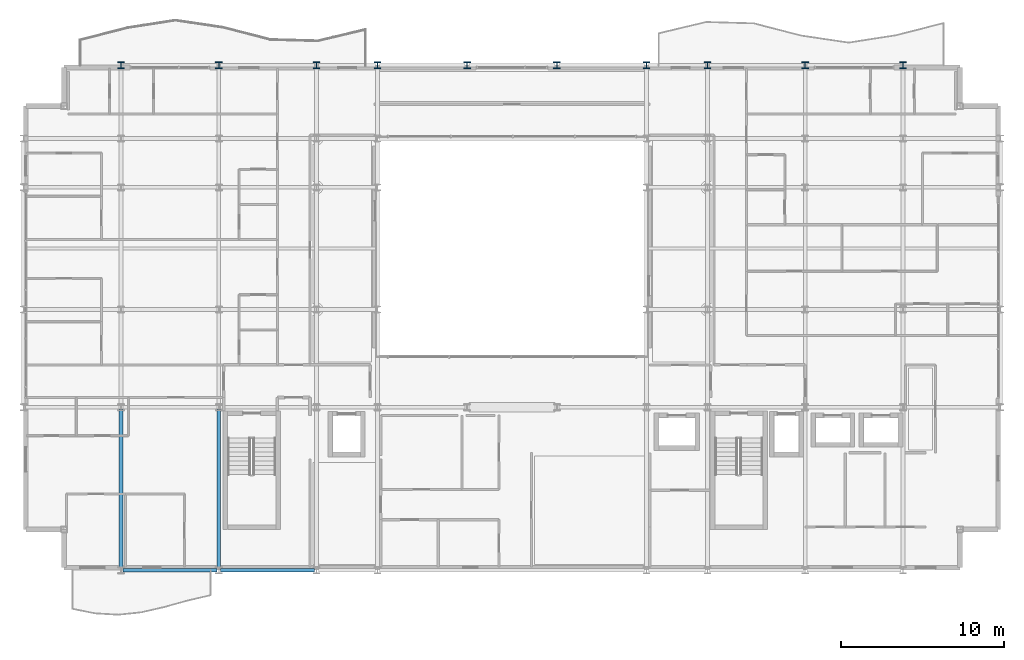
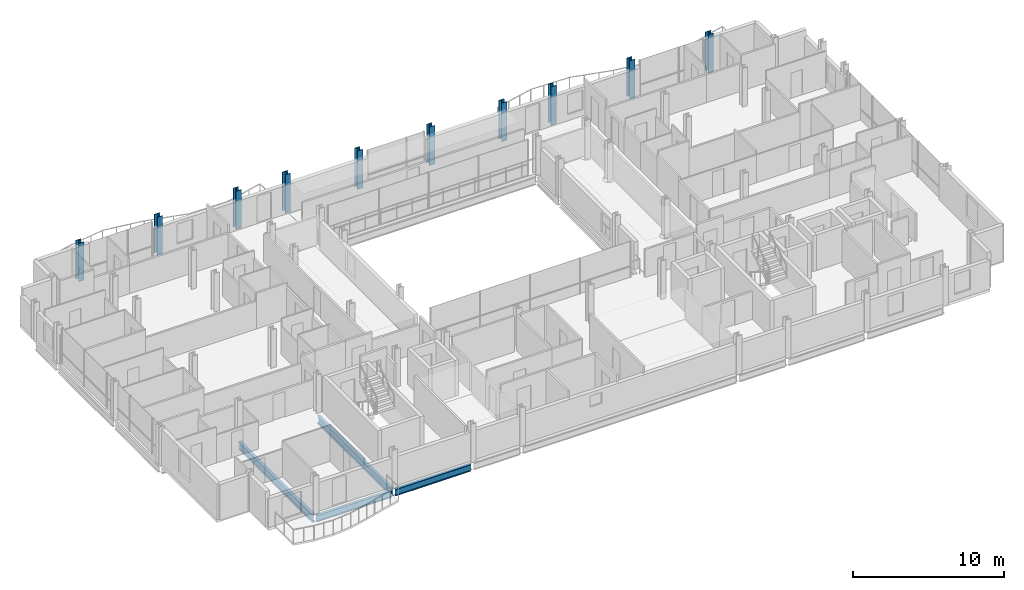
# One storey, part 3 of 41: 10 columns, 4 beams.
"""IFC4 building model written with IfcOpenShell, lengths in metres."""

from ifc_helpers import new_model, si_unit, direction, frame, origin, origin_2d, place, context, subcontext, project, spatial, i_section, extrude, material, material_profile, profile_set, type_object, element, save


model = new_model("IFC4")

# Units and contexts
model_context = context("Model", 3, precision=1e-05, world=origin(), true_north=direction((0.0, 1.0)))
body_context = subcontext(model_context, "Body", "Model", "MODEL_VIEW")
ifc_project = project(units=[si_unit("LENGTHUNIT", "METRE"), si_unit("AREAUNIT", "SQUARE_METRE"), si_unit("VOLUMEUNIT", "CUBIC_METRE"), si_unit("PLANEANGLEUNIT", "RADIAN"), si_unit("MASSUNIT", "GRAM", prefix="KILO")], contexts=[model_context])

# Site, building, storey
site_placement = place(None, origin())
site = spatial("IfcSite", under=ifc_project, at=site_placement, CompositionType="ELEMENT")
building_placement = place(site_placement, origin())
building = spatial("IfcBuilding", under=site, at=building_placement, Name="Brevholm Reach", CompositionType="ELEMENT")
storey_placement = place(building_placement, frame((0.0, 0.0, 144.89990234375)))
storey = spatial("IfcBuildingStorey", under=building, at=storey_placement, Name="L43", CompositionType="ELEMENT", Elevation=144.89990234375)

# Columns
ifc_material_1 = material(Name="Structural Steel S355J2", Category="steel")
ifc_material_profile_1 = material_profile(ifc_material_1, i_section(OverallWidth=0.406982421875, OverallDepth=0.4189453125, WebThickness=0.030517578125, FlangeThickness=0.04931640625, FilletRadius=0.01513671875, at=origin_2d()), Name="UKC 356x406x393")
ifc_profile_set_1 = profile_set([ifc_material_profile_1], Name="Structural Steel S355J2")
column_type = type_object("IfcColumnType", Name="COL-UC4", PredefinedType="COLUMN", material=ifc_profile_set_1)
for number, where, z_axis, x_axis, name in (
    (1, (6.0, 31.0, 0.0), (0.0, 0.0, 1.0), (1.0, 0.0, 0.0), "L43 Column 12"),
    (2, (12.0, 31.0, 0.0), (0.0, 0.0, 1.0), (1.0, 0.0, 0.0), "L43 Column 18"),
    (3, (18.0, 31.0, 0.0), (0.0, 0.0, 1.0), (1.0, 0.0, 0.0), "L43 Column 24"),
    (4, (21.75, 31.0, 0.0), (0.0, 0.0, 1.0), (1.0, 0.0, 0.0), "L43 Column 30"),
    (5, (27.25, 31.0, 0.0), (0.0, 0.0, 1.0), (1.0, 0.0, 0.0), "L43 Column 32"),
    (6, (32.75, 31.0, 0.0), (0.0, 0.0, 1.0), (1.0, 0.0, 0.0), "L43 Column 34"),
    (7, (38.25, 31.0, 0.0), (0.0, 0.0, 1.0), (1.0, 0.0, 0.0), "L43 Column 40"),
    (8, (42.0, 31.0, 0.0), (0.0, 0.0, 1.0), (1.0, 0.0, 0.0), "L43 Column 46"),
    (9, (48.0, 31.0, 0.0), (0.0, 0.0, 1.0), (1.0, 0.0, 0.0), "L43 Column 52"),
    (10, (54.0, 31.0, 0.0), (0.0, 0.0, 1.0), (1.0, 0.0, 0.0), "L43 Column 58"),
):
    element("IfcColumn", number, at=place(storey_placement, frame(where, z_axis=z_axis, x_axis=x_axis)), inside=storey, type_object=column_type, Name=name, PredefinedType="COLUMN", context=body_context, shape_type="SweptSolid", body=[
        extrude(i_section(OverallWidth=0.406982421875, OverallDepth=0.4189453125, WebThickness=0.030517578125, FlangeThickness=0.04931640625, FilletRadius=0.01513671875, at=origin_2d()), origin(), (0.0, 0.0, 1.0), 3.10009765625),
    ])

# Beams
ifc_material_2 = material(Name="Structural Steel S355J2", Category="steel")
ifc_material_profile_2 = material_profile(ifc_material_2, i_section(OverallWidth=0.209228515625, OverallDepth=0.533203125, WebThickness=0.010009765625, FlangeThickness=0.015625, FilletRadius=0.0126953125, at=origin_2d()), Name="UKB 533x210x92")
ifc_profile_set_2 = profile_set([ifc_material_profile_2], Name="Structural Steel S355J2")
beam_type_1 = type_object("IfcBeamType", Name="BM-SP533", PredefinedType="SPANDREL", material=ifc_profile_set_2)
for number, where, z_axis, x_axis, name in (
    (11, (6.1201171875, 0.0, -0.486572265625), (1.0, 0.0, 0.0), (0.0, 1.0, 0.0), "L43 SP-02 Framing Beam"),
    (12, (12.1201171875, 0.0, -0.486572265625), (1.0, 0.0, 0.0), (0.0, 1.0, 0.0), "L43 SP-02 Framing Beam"),
):
    element("IfcBeam", number, at=place(storey_placement, frame(where, z_axis=z_axis, x_axis=x_axis)), inside=storey, type_object=beam_type_1, Name=name, PredefinedType="SPANDREL", context=body_context, shape_type="SweptSolid", body=[
        extrude(i_section(OverallWidth=0.209228515625, OverallDepth=0.533203125, WebThickness=0.010009765625, FlangeThickness=0.015625, FilletRadius=0.0126953125, at=origin_2d()), origin(), (0.0, 0.0, 1.0), 5.759765625),
    ])
ifc_material_3 = material(Name="Structural Steel S355J2", Category="steel")
ifc_material_profile_3 = material_profile(ifc_material_3, i_section(OverallWidth=0.22900390625, OverallDepth=0.6123046875, WebThickness=0.011962890625, FlangeThickness=0.01953125, FilletRadius=0.0126953125, at=origin_2d()), Name="UKB 610x229x125")
ifc_profile_set_3 = profile_set([ifc_material_profile_3], Name="Structural Steel S355J2")
beam_type_2 = type_object("IfcBeamType", Name="BM-SP610", PredefinedType="SPANDREL", material=ifc_profile_set_3)
for number, where, z_axis, x_axis, name in (
    (13, (6.0, 0.1201171875, -0.526123046875), (0.0, 1.0, 0.0), (-1.0, 0.0, 0.0), "L43 SP-01 Framing Beam"),
    (14, (12.0, 0.1201171875, -0.526123046875), (0.0, 1.0, 0.0), (-1.0, 0.0, 0.0), "L43 SP-01 Framing Beam"),
):
    element("IfcBeam", number, at=place(storey_placement, frame(where, z_axis=z_axis, x_axis=x_axis)), inside=storey, type_object=beam_type_2, Name=name, PredefinedType="SPANDREL", context=body_context, shape_type="SweptSolid", body=[
        extrude(i_section(OverallWidth=0.22900390625, OverallDepth=0.6123046875, WebThickness=0.011962890625, FlangeThickness=0.01953125, FilletRadius=0.0126953125, at=origin_2d()), origin(), (0.0, 0.0, 1.0), 9.759765625),
    ])

save(model, "model.ifc")
